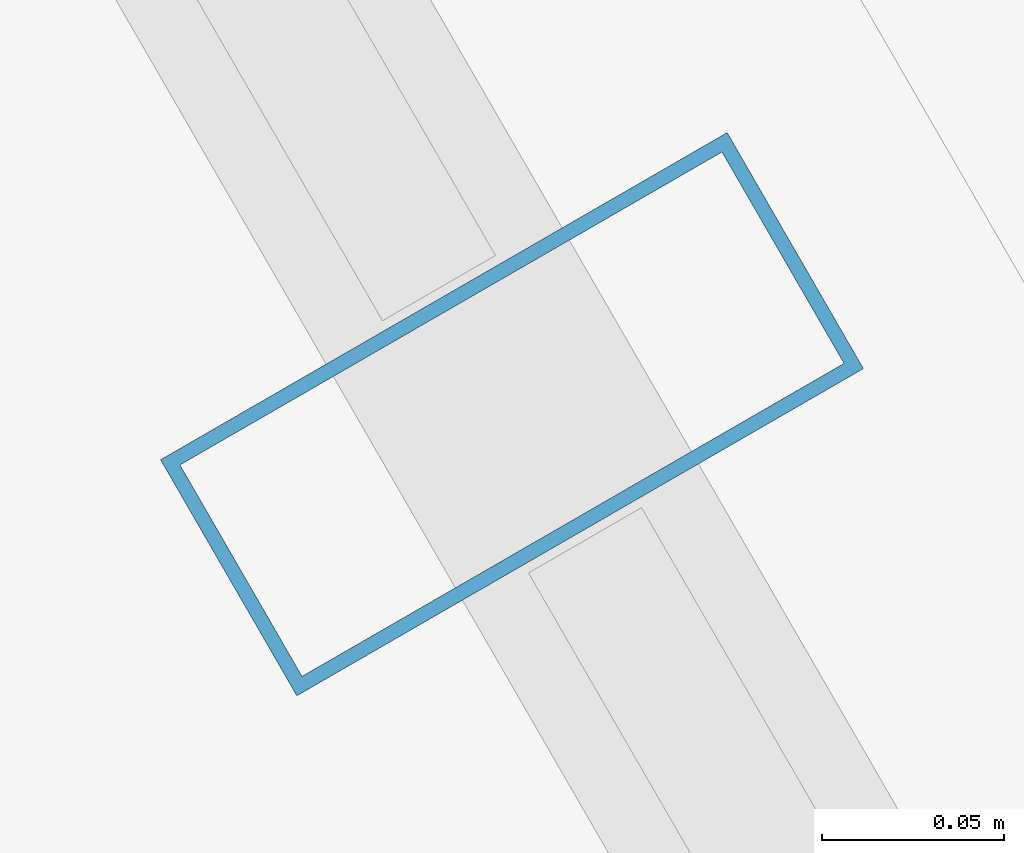
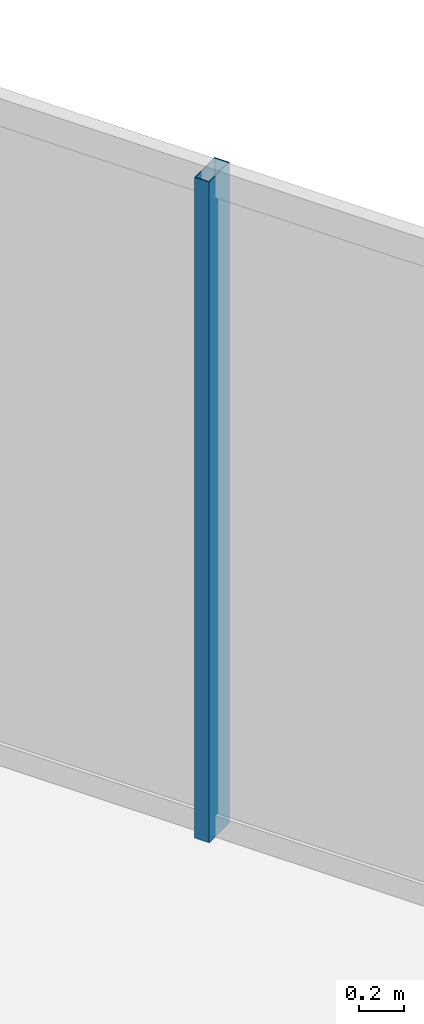
# One storey, part 21 of 32: 1 member, 1 element without a shape of its own.
"""IFC4 building model written with IfcOpenShell, lengths in metres."""

from ifc_helpers import new_model, si_unit, direction, frame, origin, origin_2d, place, context, subcontext, project, spatial, hollow_rectangle, extrude, material, layer, layer_set, material_profile, profile_set, type_object, element, aggregate, save


model = new_model("IFC4")

# Units and contexts
model_context = context("Model", 3, precision=1e-05, world=origin(), true_north=direction((0.0, 1.0)))
body_context = subcontext(model_context, "Body", "Model", "MODEL_VIEW")
ifc_project = project(units=[si_unit("LENGTHUNIT", "METRE"), si_unit("AREAUNIT", "SQUARE_METRE"), si_unit("VOLUMEUNIT", "CUBIC_METRE"), si_unit("PLANEANGLEUNIT", "RADIAN"), si_unit("MASSUNIT", "GRAM", prefix="KILO")], contexts=[model_context])

# Site, building, storey
site_placement = place(None, origin())
site = spatial("IfcSite", under=ifc_project, at=site_placement, CompositionType="ELEMENT")
building_placement = place(site_placement, origin())
building = spatial("IfcBuilding", under=site, at=building_placement, Name="Ndaravel Arena Tower", CompositionType="ELEMENT")
storey_placement = place(building_placement, frame((0.0, 0.0, 93.0)))
storey = spatial("IfcBuildingStorey", under=building, at=storey_placement, Name="L21", CompositionType="ELEMENT", Elevation=93.0)

# Curtain wall, member
ifc_material_1 = material(Name="Aluminium", Category="aluminium")
ifc_layer = layer(ifc_material_1, 0.179931640625)
ifc_layer_set = layer_set([ifc_layer], Name="Aluminium")
curtain_wall_type = type_object("IfcCurtainWallType", Name="CW-SYS-03", PredefinedType="NOTDEFINED", material=ifc_layer_set)
curtain_wall_placement = place(storey_placement, origin())
curtain_wall = element("IfcCurtainWall", 1, at=curtain_wall_placement, inside=storey, type_object=curtain_wall_type, Name="L21 Faceted Crystal Curtain Wall CW-L21-E03", PredefinedType="NOTDEFINED")
ifc_material_2 = material(Name="Aluminium", Category="aluminium")
ifc_material_profile = material_profile(ifc_material_2, hollow_rectangle(XDim=0.074951171875, YDim=0.179931640625, WallThickness=0.00390625, at=origin_2d()), Name="CW MULLION 75x180x4")
ifc_profile_set = profile_set([ifc_material_profile], Name="Aluminium")
member_type = type_object("IfcMemberType", Name="MEM-CW-MUL180", PredefinedType="MULLION", material=ifc_profile_set)
member_placement = place(storey_placement, frame((55.158203125, 35.14404296875, 0.0), z_axis=(0.0, 0.0, 1.0), x_axis=(-0.5, 0.866025403784, 0.0)))
member = element("IfcMember", 2, at=member_placement, type_object=member_type, Name="CW-L21-E03 Mullion 05", PredefinedType="MULLION", context=body_context, shape_type="SweptSolid", body=[
    extrude(hollow_rectangle(XDim=0.074951171875, YDim=0.179931640625, WallThickness=0.00390625, at=origin_2d()), origin(), (0.0, 0.0, 1.0), 3.580078125),
])
aggregate(curtain_wall, [member])

save(model, "model.ifc")
